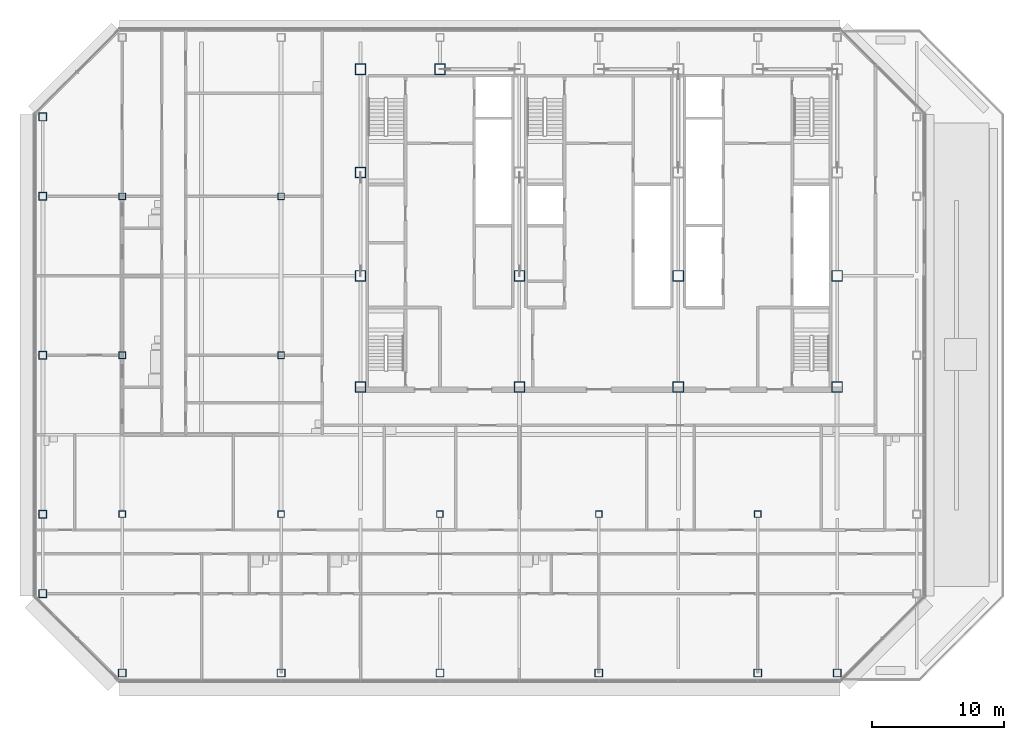
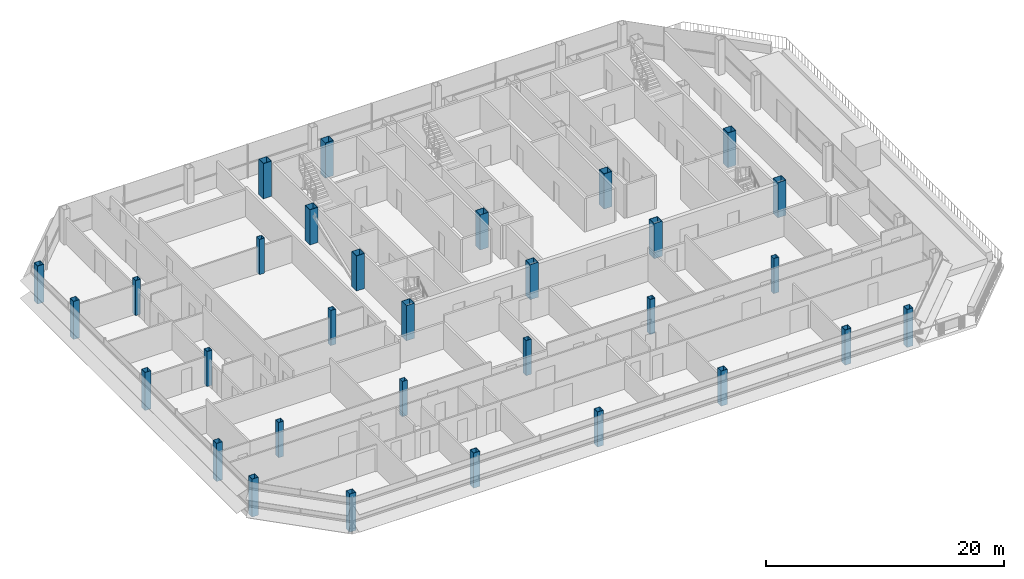
# One storey, part 1 of 28: 31 columns.
"""IFC4 building model written with IfcOpenShell, lengths in metres."""

import ifcopenshell
import ifcopenshell.guid

model = None  # the IFC model being written
_history = None  # IfcOwnerHistory: only IFC2X3 demands one
_inside = {}  # id of a spatial element -> (the spatial element, [elements in it])
_under = {}  # id of a project, library or spatial element -> (it, [spatial elements below it])
_declared = {}  # id of a project -> (the project, [libraries it declares])
_typed = {}  # id of a type object -> (the type object, [elements of that type])
_made_of = {}  # id of a material, layer set ... -> (it, [elements and type objects made of it])


def new_model(schema):
    """Start an empty IFC model of exactly this schema.

    Asked for "IFC4X3", IfcOpenShell would pick the latest addendum, in which some entities
    have other attributes; the version numbers below select the first issue.
    IFC2X3 requires an IfcOwnerHistory on every rooted entity: one is made here for all.
    """
    global model, _history
    if schema == "IFC4X3":
        model = ifcopenshell.file(schema_version=(4, 3, 0, 0))
    else:
        model = ifcopenshell.file(schema=schema)
    _inside.clear()
    _under.clear()
    _declared.clear()
    _typed.clear()
    _made_of.clear()
    _history = None
    if model.schema == "IFC2X3":
        org = make("IfcOrganization", Name="unknown")
        user = make(
            "IfcPersonAndOrganization",
            ThePerson=make("IfcPerson", FamilyName="unknown"),
            TheOrganization=org,
        )
        app = make(
            "IfcApplication",
            ApplicationDeveloper=org,
            Version="unknown",
            ApplicationFullName="unknown",
            ApplicationIdentifier="unknown",
        )
        _history = make(
            "IfcOwnerHistory",
            OwningUser=user,
            OwningApplication=app,
            ChangeAction="ADDED",
            CreationDate=0,
        )
    return model


def make(cls, **values):
    """One entity of the class cls with the attributes given. An attribute that is None is left unset."""
    return model.create_entity(
        cls, **{name: value for name, value in values.items() if value is not None}
    )


def rooted(cls, **values):
    """An entity with a GlobalId (a new one), such as an element, a storey or a relation."""
    return make(cls, GlobalId=ifcopenshell.guid.new(), OwnerHistory=_history, **values)


def si_unit(unit_type, name, prefix=None):
    """IfcSIUnit, for example si_unit("LENGTHUNIT", "METRE", prefix="MILLI")."""
    return make("IfcSIUnit", UnitType=unit_type, Prefix=prefix, Name=name)


def assignment(units):
    """IfcUnitAssignment: the units of a project."""
    return None if units is None else make("IfcUnitAssignment", Units=units)


def point(xyz):
    """IfcCartesianPoint."""
    return None if xyz is None else make("IfcCartesianPoint", Coordinates=xyz)


def direction(xyz):
    """IfcDirection."""
    return None if xyz is None else make("IfcDirection", DirectionRatios=xyz)


def frame(location, z_axis=None, x_axis=None):
    """IfcAxis2Placement3D, a coordinate frame: its origin and axes. An axis left out is left unset."""
    return make(
        "IfcAxis2Placement3D",
        Location=point(location),
        Axis=direction(z_axis),
        RefDirection=direction(x_axis),
    )


def frame_2d(location, x_axis=None):
    """IfcAxis2Placement2D, a coordinate frame in the plane: its origin and x axis."""
    return make(
        "IfcAxis2Placement2D", Location=point(location), RefDirection=direction(x_axis)
    )


def origin():
    """The frame at (0, 0, 0) with its axes left unset."""
    return frame((0.0, 0.0, 0.0))


def origin_2d():
    """The frame at (0, 0) in the plane with its x axis left unset."""
    return frame_2d((0.0, 0.0))


def place(relative_to, where):
    """IfcLocalPlacement: puts the frame where relative to a parent placement (None: the world)."""
    return make(
        "IfcLocalPlacement", PlacementRelTo=relative_to, RelativePlacement=where
    )


def context(
    kind, dimensions, precision=None, world=None, true_north=None, identifier=None
):
    """IfcGeometricRepresentationContext, for example the 3D "Model" context."""
    return make(
        "IfcGeometricRepresentationContext",
        ContextIdentifier=identifier,
        ContextType=kind,
        CoordinateSpaceDimension=dimensions,
        Precision=precision,
        WorldCoordinateSystem=world,
        TrueNorth=true_north,
    )


def subcontext(parent, identifier, kind, view, scale=None):
    """IfcGeometricRepresentationSubContext, for example "Body" below "Model"."""
    return make(
        "IfcGeometricRepresentationSubContext",
        ContextIdentifier=identifier,
        ContextType=kind,
        ParentContext=parent,
        TargetScale=scale,
        TargetView=view,
    )


def project(units=None, contexts=None):
    """IfcProject with its units and contexts."""
    return rooted(
        "IfcProject",
        Name="project",
        RepresentationContexts=contexts,
        UnitsInContext=assignment(units),
    )


def spatial(cls, under=None, at=None, **own):
    """A site, building, storey or space (cls), placed at a placement, below another one or the project."""
    s = rooted(cls, ObjectPlacement=at, **own)
    if under is not None:
        _under.setdefault(under.id(), (under, []))[1].append(s)
    return s


def profile(cls, at=None, kind="AREA", **sizes):
    """A parametric profile (cls). Its sizes go by their IFC names, for example OverallWidth=200.0."""
    return make(cls, ProfileType=kind, Position=at, **sizes)


def hollow_rectangle(**sizes):
    """IfcRectangleHollowProfileDef."""
    return profile("IfcRectangleHollowProfileDef", **sizes)


def extrude(swept, where, along, depth):
    """IfcExtrudedAreaSolid: the profile swept, set in the frame where, extruded along a direction by depth."""
    return make(
        "IfcExtrudedAreaSolid",
        SweptArea=swept,
        Position=where,
        ExtrudedDirection=direction(along),
        Depth=depth,
    )


def shape(context_of_items, identifier, shape_type, items):
    """IfcShapeRepresentation: the items that make up one representation, for example the "Body"."""
    return make(
        "IfcShapeRepresentation",
        ContextOfItems=context_of_items,
        RepresentationIdentifier=identifier,
        RepresentationType=shape_type,
        Items=items,
    )


def material(Name=None, Category=None):
    """IfcMaterial."""
    return make("IfcMaterial", Name=Name, Category=Category)


def material_profile(
    of_material, cross_section, Name=None, Category=None, Priority=None
):
    """IfcMaterialProfile: a cross section and its material."""
    return make(
        "IfcMaterialProfile",
        Name=Name,
        Material=of_material,
        Profile=cross_section,
        Priority=Priority,
        Category=Category,
    )


def profile_set(profiles, Name=None, composite=None):
    """IfcMaterialProfileSet."""
    return make(
        "IfcMaterialProfileSet",
        Name=Name,
        MaterialProfiles=profiles,
        CompositeProfile=composite,
    )


def made_of(thing, what):
    """Note that an element or type object is made of a material, layer set ...; save() writes the relation."""
    if what is not None:
        _made_of.setdefault(what.id(), (what, []))[1].append(thing)
    return thing


def type_object(cls, material=None, **own):
    """A type object (cls), such as IfcWallType, which elements share."""
    return made_of(rooted(cls, **own), material)


def element(
    cls,
    number,
    at=None,
    inside=None,
    cuts=None,
    type_object=None,
    material=None,
    context=None,
    identifier="Body",
    shape_type=None,
    held_by="IfcProductDefinitionShape",
    body=None,
    shapes=None,
    **own,
):
    """One element of the class cls, such as IfcWall. Its Tag is "e" and its number.

    at: its placement. inside: the storey or other place that contains it. cuts: it is an
    opening in that element (IfcRelVoidsElement). A single representation is given by context,
    identifier, shape_type and body (its items); several are given by shapes. held_by: the class
    of the entity that holds the representations. save() writes the other relations.
    """
    e = rooted(cls, Tag="e%d" % number, ObjectPlacement=at, **own)
    if body is not None:
        shapes = [shape(context, identifier, shape_type, body)]
    if shapes is not None:
        e.Representation = make(held_by, Representations=shapes)
    if inside is not None:
        _inside.setdefault(inside.id(), (inside, []))[1].append(e)
    if cuts is not None:
        rooted(
            "IfcRelVoidsElement", RelatingBuildingElement=cuts, RelatedOpeningElement=e
        )
    if type_object is not None:
        _typed.setdefault(type_object.id(), (type_object, []))[1].append(e)
    return made_of(e, material)


def aggregate(whole, parts):
    """IfcRelAggregates: a whole, such as a stair, and the parts it consists of."""
    return rooted("IfcRelAggregates", RelatingObject=whole, RelatedObjects=parts)


def save(model, path):
    """Write the relations noted so far, then the file.

    IfcRelAggregates (storeys below a building ...), IfcRelContainedInSpatialStructure (elements
    in a storey), IfcRelDefinesByType, IfcRelAssociatesMaterial and IfcRelDeclares: one each for
    every whole, place, type object, material and project.
    """
    for whole, parts in _under.values():
        aggregate(whole, parts)
    for where, things in _inside.values():
        rooted(
            "IfcRelContainedInSpatialStructure",
            RelatedElements=things,
            RelatingStructure=where,
        )
    for kind, things in _typed.values():
        rooted("IfcRelDefinesByType", RelatedObjects=things, RelatingType=kind)
    for what, things in _made_of.values():
        rooted("IfcRelAssociatesMaterial", RelatedObjects=things, RelatingMaterial=what)
    for by, libraries in _declared.values():
        rooted("IfcRelDeclares", RelatingContext=by, RelatedDefinitions=libraries)
    model.write(path)


model = new_model("IFC4")

# Units and contexts
model_context = context("Model", 3, precision=1e-05, world=origin(), true_north=direction((0.0, 1.0)))
body_context = subcontext(model_context, "Body", "Model", "MODEL_VIEW")
ifc_project = project(units=[si_unit("LENGTHUNIT", "METRE"), si_unit("AREAUNIT", "SQUARE_METRE"), si_unit("VOLUMEUNIT", "CUBIC_METRE"), si_unit("PLANEANGLEUNIT", "RADIAN"), si_unit("MASSUNIT", "GRAM", prefix="KILO")], contexts=[model_context])

# Site, building, storey
site_placement = place(None, origin())
site = spatial("IfcSite", under=ifc_project, at=site_placement, CompositionType="ELEMENT")
building_placement = place(site_placement, origin())
building = spatial("IfcBuilding", under=site, at=building_placement, Name="Sorahane Residences", CompositionType="ELEMENT")
storey_placement = place(building_placement, frame((0.0, 0.0, 290.800048828125)))
storey = spatial("IfcBuildingStorey", under=building, at=storey_placement, Name="L68", CompositionType="ELEMENT", Elevation=290.800048828125)

# Columns
ifc_material_1 = material(Name="Steel Q355B", Category="steel")
ifc_material_profile_1 = material_profile(ifc_material_1, hollow_rectangle(XDim=0.5, YDim=0.5, WallThickness=0.02490234375, at=origin_2d()), Name="BOX 500x500x25")
ifc_profile_set_1 = profile_set([ifc_material_profile_1], Name="Steel Q355B")
column_type_1 = type_object("IfcColumnType", Name="Steel box column BOX 500x500x25 Q355B", PredefinedType="COLUMN", material=ifc_profile_set_1)
for number, where, z_axis, x_axis, name in (
    (1, (-12.0, 12.0, 0.0), (0.0, 0.0, 1.0), (1.0, 0.0, 0.0), "Column L68 m12/12"),
    (2, (-12.0, 24.0, 0.0), (0.0, 0.0, 1.0), (1.0, 0.0, 0.0), "Column L68 m12/24"),
    (3, (-12.0, 36.0, 0.0), (0.0, 0.0, 1.0), (1.0, 0.0, 0.0), "Column L68 m12/36"),
    (4, (0.0, 12.0, 0.0), (0.0, 0.0, 1.0), (1.0, 0.0, 0.0), "Column L68 0/12"),
    (5, (0.0, 24.0, 0.0), (0.0, 0.0, 1.0), (1.0, 0.0, 0.0), "Column L68 0/24"),
    (6, (0.0, 36.0, 0.0), (0.0, 0.0, 1.0), (1.0, 0.0, 0.0), "Column L68 0/36"),
    (7, (12.0, 12.0, 0.0), (0.0, 0.0, 1.0), (1.0, 0.0, 0.0), "Column L68 12/12"),
    (8, (24.0, 12.0, 0.0), (0.0, 0.0, 1.0), (1.0, 0.0, 0.0), "Column L68 24/12"),
    (9, (36.0, 12.0, 0.0), (0.0, 0.0, 1.0), (1.0, 0.0, 0.0), "Column L68 36/12"),
):
    element("IfcColumn", number, at=place(storey_placement, frame(where, z_axis=z_axis, x_axis=x_axis)), inside=storey, type_object=column_type_1, Name=name, PredefinedType="COLUMN", context=body_context, shape_type="SweptSolid", body=[
        extrude(hollow_rectangle(XDim=0.5, YDim=0.5, WallThickness=0.02490234375, at=origin_2d()), origin(), (0.0, 0.0, 1.0), 3.599853515625),
    ])
ifc_material_2 = material(Name="Steel Q355B", Category="steel")
ifc_material_profile_2 = material_profile(ifc_material_2, hollow_rectangle(XDim=0.60009765625, YDim=0.60009765625, WallThickness=0.028076171875, at=origin_2d()), Name="BOX 600x600x28")
ifc_profile_set_2 = profile_set([ifc_material_profile_2], Name="Steel Q355B")
column_type_2 = type_object("IfcColumnType", Name="Steel box column BOX 600x600x28 Q355B", PredefinedType="COLUMN", material=ifc_profile_set_2)
for number, where, z_axis, x_axis, name in (
    (10, (-18.0, 6.0, -0.300048828125), (0.0, 0.0, 1.0), (1.0, 0.0, 0.0), "Column L68 m18/6"),
    (11, (-18.0, 12.0, -0.300048828125), (0.0, 0.0, 1.0), (1.0, 0.0, 0.0), "Column L68 m18/12"),
    (12, (-18.0, 24.0, -0.300048828125), (0.0, 0.0, 1.0), (1.0, 0.0, 0.0), "Column L68 m18/24"),
    (13, (-18.0, 36.0, -0.300048828125), (0.0, 0.0, 1.0), (1.0, 0.0, 0.0), "Column L68 m18/36"),
    (14, (-18.0, 42.0, -0.300048828125), (0.0, 0.0, 1.0), (1.0, 0.0, 0.0), "Column L68 m18/42"),
    (15, (-12.0, 0.0, -0.300048828125), (0.0, 0.0, 1.0), (1.0, 0.0, 0.0), "Column L68 m12/0"),
):
    element("IfcColumn", number, at=place(storey_placement, frame(where, z_axis=z_axis, x_axis=x_axis)), inside=storey, type_object=column_type_2, Name=name, PredefinedType="COLUMN", context=body_context, shape_type="SweptSolid", body=[
        extrude(hollow_rectangle(XDim=0.60009765625, YDim=0.60009765625, WallThickness=0.028076171875, at=origin_2d()), origin(), (0.0, 0.0, 1.0), 3.89990234375),
    ])
for number, where, z_axis, x_axis, name in (
    (16, (0.0, 0.0, 0.0), (0.0, 0.0, 1.0), (1.0, 0.0, 0.0), "Column L68 0/0"),
    (17, (12.0, 0.0, 0.0), (0.0, 0.0, 1.0), (1.0, 0.0, 0.0), "Column L68 12/0"),
    (18, (24.0, 0.0, 0.0), (0.0, 0.0, 1.0), (1.0, 0.0, 0.0), "Column L68 24/0"),
    (19, (36.0, 0.0, 0.0), (0.0, 0.0, 1.0), (1.0, 0.0, 0.0), "Column L68 36/0"),
):
    element("IfcColumn", number, at=place(storey_placement, frame(where, z_axis=z_axis, x_axis=x_axis)), inside=storey, type_object=column_type_2, Name=name, PredefinedType="COLUMN", context=body_context, shape_type="SweptSolid", body=[
        extrude(hollow_rectangle(XDim=0.60009765625, YDim=0.60009765625, WallThickness=0.028076171875, at=origin_2d()), origin(), (0.0, 0.0, 1.0), 3.599853515625),
    ])
column_placement = place(storey_placement, frame((42.0, 0.0, -0.300048828125), z_axis=(0.0, 0.0, 1.0), x_axis=(1.0, 0.0, 0.0)))
element("IfcColumn", 20, at=column_placement, inside=storey, type_object=column_type_2, Name="Column L68 42/0", PredefinedType="COLUMN", context=body_context, shape_type="SweptSolid", body=[
    extrude(hollow_rectangle(XDim=0.60009765625, YDim=0.60009765625, WallThickness=0.028076171875, at=origin_2d()), origin(), (0.0, 0.0, 1.0), 3.89990234375),
])
ifc_material_3 = material(Name="Steel Q355B", Category="steel")
ifc_material_profile_3 = material_profile(ifc_material_3, hollow_rectangle(XDim=0.800048828125, YDim=0.800048828125, WallThickness=0.031982421875, at=origin_2d()), Name="BOX 800x800x32")
ifc_profile_set_3 = profile_set([ifc_material_profile_3], Name="Steel Q355B")
column_type_3 = type_object("IfcColumnType", Name="Steel box column BOX 800x800x32 Q355B", PredefinedType="COLUMN", material=ifc_profile_set_3)
for number, where, z_axis, x_axis, name in (
    (21, (6.0, 21.60009765625, 0.0), (0.0, 0.0, 1.0), (1.0, 0.0, 0.0), "Column L68 6/21.6"),
    (22, (6.0, 30.0, 0.0), (0.0, 0.0, 1.0), (1.0, 0.0, 0.0), "Column L68 6/30"),
    (23, (6.0, 37.800048828125, 0.0), (0.0, 0.0, 1.0), (1.0, 0.0, 0.0), "Column L68 6/37.8"),
    (24, (6.0, 45.60009765625, 0.0), (0.0, 0.0, 1.0), (1.0, 0.0, 0.0), "Column L68 6/45.6"),
    (25, (12.0, 45.60009765625, 0.0), (0.0, 0.0, 1.0), (1.0, 0.0, 0.0), "Column L68 12/45.6"),
    (26, (18.0, 21.60009765625, 0.0), (0.0, 0.0, 1.0), (1.0, 0.0, 0.0), "Column L68 18/21.6"),
    (27, (18.0, 30.0, 0.0), (0.0, 0.0, 1.0), (1.0, 0.0, 0.0), "Column L68 18/30"),
    (28, (30.0, 21.60009765625, 0.0), (0.0, 0.0, 1.0), (1.0, 0.0, 0.0), "Column L68 30/21.6"),
    (29, (30.0, 30.0, 0.0), (0.0, 0.0, 1.0), (1.0, 0.0, 0.0), "Column L68 30/30"),
    (30, (42.0, 21.60009765625, 0.0), (0.0, 0.0, 1.0), (1.0, 0.0, 0.0), "Column L68 42/21.6"),
    (31, (42.0, 30.0, 0.0), (0.0, 0.0, 1.0), (1.0, 0.0, 0.0), "Column L68 42/30"),
):
    element("IfcColumn", number, at=place(storey_placement, frame(where, z_axis=z_axis, x_axis=x_axis)), inside=storey, type_object=column_type_3, Name=name, PredefinedType="COLUMN", context=body_context, shape_type="SweptSolid", body=[
        extrude(hollow_rectangle(XDim=0.800048828125, YDim=0.800048828125, WallThickness=0.031982421875, at=origin_2d()), origin(), (0.0, 0.0, 1.0), 3.599853515625),
    ])

save(model, "model.ifc")
